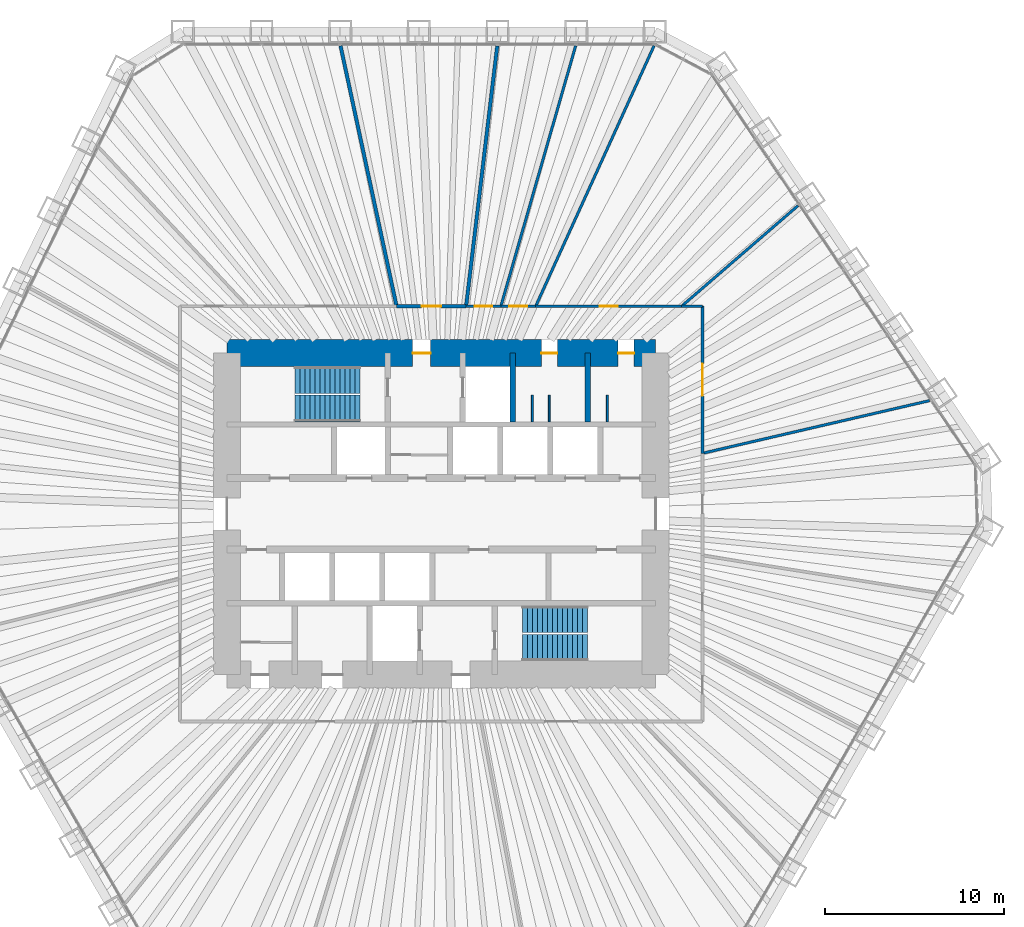
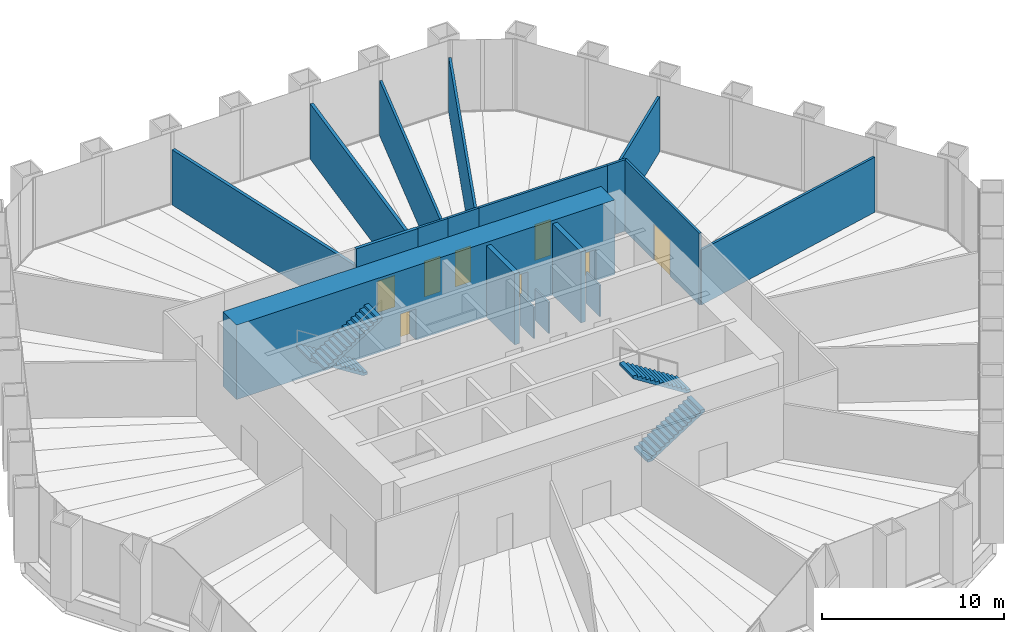
# One storey, part 12 of 13: 18 walls, 8 doors, 4 stair flights, 8 openings, 2 elements without a shape of their own.
"""IFC4 building model written with IfcOpenShell, lengths in metres."""

from ifc_helpers import new_model, si_unit, direction, frame, frame_2d, origin, place, context, subcontext, project, spatial, polyline, rectangle, outline, extrude, material, layer, layer_set, type_object, element, fill, aggregate, save


model = new_model("IFC4")

# Units and contexts
model_context = context("Model", 3, precision=1e-05, world=origin(), true_north=direction((0.0, 1.0)))
body_context = subcontext(model_context, "Body", "Model", "MODEL_VIEW")
ifc_project = project(units=[si_unit("LENGTHUNIT", "METRE"), si_unit("AREAUNIT", "SQUARE_METRE"), si_unit("VOLUMEUNIT", "CUBIC_METRE"), si_unit("PLANEANGLEUNIT", "RADIAN"), si_unit("MASSUNIT", "GRAM", prefix="KILO")], contexts=[model_context])

# Site, building, storey
site_placement = place(None, origin())
site = spatial("IfcSite", under=ifc_project, at=site_placement, CompositionType="ELEMENT")
building_placement = place(site_placement, origin())
building = spatial("IfcBuilding", under=site, at=building_placement, Name="Qingtian Harvest Tower", CompositionType="ELEMENT")
storey_placement = place(building_placement, frame((0.0, 0.0, 77.0)))
storey = spatial("IfcBuildingStorey", under=building, at=storey_placement, Name="L15", CompositionType="ELEMENT", Elevation=77.0)

# Walls
ifc_material_1 = material(Name="Precast concrete shaft panel", Category="concrete")
ifc_layer_1 = layer(ifc_material_1, 0.300048828125)
ifc_layer_set_1 = layer_set([ifc_layer_1], Name="Core shaft partition SW1 300")
wall_type_1 = type_object("IfcWallType", Name="Core shaft partition SW1 300", PredefinedType="PARTITIONING", material=ifc_layer_set_1)
for number, where, z_axis, x_axis, name in (
    (1, (4.0, 5.14990234375, 0.0), (0.0, 0.0, 1.0), (0.0, 1.0, 0.0), "Core shaft partition XN3 L15"),
    (2, (8.199951171875, 5.14990234375, 0.0), (0.0, 0.0, 1.0), (0.0, 1.0, 0.0), "Core shaft partition XN4 L15"),
):
    element("IfcWall", number, at=place(storey_placement, frame(where, z_axis=z_axis, x_axis=x_axis)), inside=storey, type_object=wall_type_1, Name=name, PredefinedType="PARTITIONING", context=body_context, shape_type="SweptSolid", body=[
        extrude(rectangle(XDim=3.85009765625, YDim=0.300048828125, at=frame_2d((1.925048828125, 0.0))), origin(), (0.0, 0.0, 1.0), 4.780029296875),
    ])

# Wall, openings, doors
ifc_material_2 = material(Name="Concrete fc' 70 MPa", Category="concrete")
ifc_layer_2 = layer(ifc_material_2, 1.5)
ifc_layer_set_2 = layer_set([ifc_layer_2], Name="Core wall RC1 1500")
wall_type_2 = type_object("IfcWallType", Name="Core wall RC1 1500", PredefinedType="SHEAR", material=ifc_layer_set_2)
wall_1_placement = place(storey_placement, frame((-12.0, 9.0, 0.0), z_axis=(0.0, 0.0, 1.0), x_axis=(1.0, 0.0, 0.0)))
wall_1 = element("IfcWall", 3, at=wall_1_placement, inside=storey, type_object=wall_type_2, Name="Core wall CN L15", PredefinedType="SHEAR", context=body_context, shape_type="SweptSolid", body=[
    extrude(rectangle(XDim=24.0, YDim=1.5, at=frame_2d((12.0, 0.0))), origin(), (0.0, 0.0, 1.0), 5.0),
])
opening_1_placement = place(wall_1_placement, frame((10.39990234375, 0.0, 0.0)))
opening_1 = element("IfcOpeningElement", 4, at=opening_1_placement, cuts=wall_1, Name="Opening FD1", PredefinedType="OPENING", context=body_context, shape_type="SweptSolid", body=[
    extrude(rectangle(XDim=1.0, YDim=2.10009765625, at=frame_2d((0.5, 1.050048828125))), frame((0.0, 0.760009765625, 0.0), z_axis=(0.0, -1.0, 0.0), x_axis=(1.0, 0.0, 0.0)), (0.0, 0.0, 1.0), 1.52001953125),
])
opening_2_placement = place(wall_1_placement, frame((17.60009765625, 0.0, 0.0)))
opening_2 = element("IfcOpeningElement", 5, at=opening_2_placement, cuts=wall_1, Name="Opening D1", PredefinedType="OPENING", context=body_context, shape_type="SweptSolid", body=[
    extrude(rectangle(XDim=0.89990234375, YDim=2.10009765625, at=frame_2d((0.449951171875, 1.050048828125))), frame((0.0, 0.760009765625, 0.0), z_axis=(0.0, -1.0, 0.0), x_axis=(1.0, 0.0, 0.0)), (0.0, 0.0, 1.0), 1.52001953125),
])
opening_3_placement = place(wall_1_placement, frame((21.89990234375, 0.0, 0.0)))
opening_3 = element("IfcOpeningElement", 6, at=opening_3_placement, cuts=wall_1, Name="Opening D1", PredefinedType="OPENING", context=body_context, shape_type="SweptSolid", body=[
    extrude(rectangle(XDim=0.89990234375, YDim=2.10009765625, at=frame_2d((0.449951171875, 1.050048828125))), frame((0.0, 0.760009765625, 0.0), z_axis=(0.0, -1.0, 0.0), x_axis=(1.0, 0.0, 0.0)), (0.0, 0.0, 1.0), 1.52001953125),
])
ifc_material_3 = material(Name="Steel-faced door leaf", Category="steel")
door_type_1 = type_object("IfcDoorType", Name="Fire door FD1 single 1 HR", OperationType="SINGLE_SWING_LEFT", PredefinedType="DOOR", material=ifc_material_3)
door_1_placement = place(opening_1_placement, origin())
door_1 = element("IfcDoor", 7, at=door_1_placement, inside=storey, type_object=door_type_1, Name="V1 door L15", OperationType="SINGLE_SWING_LEFT", OverallHeight=2.10009765625, OverallWidth=1.0, PredefinedType="DOOR", context=body_context, shape_type="SweptSolid", body=[
    extrude(rectangle(XDim=1.0, YDim=2.10009765625, at=frame_2d((0.5, 1.050048828125))), frame((0.0, 0.02490234375, 0.0), z_axis=(0.0, -1.0, 0.0), x_axis=(1.0, 0.0, 0.0)), (0.0, 0.0, 1.0), 0.050048828125),
])
fill(opening_1, door_1)
ifc_material_4 = material(Name="Laminated timber door leaf", Category="wood")
door_type_2 = type_object("IfcDoorType", Name="Toilet door D1 single", OperationType="SINGLE_SWING_LEFT", PredefinedType="DOOR", material=ifc_material_4)
door_2_placement = place(opening_2_placement, origin())
door_2 = element("IfcDoor", 8, at=door_2_placement, inside=storey, type_object=door_type_2, Name="WCM door L15", OperationType="SINGLE_SWING_LEFT", OverallHeight=2.10009765625, OverallWidth=0.89990234375, PredefinedType="DOOR", context=body_context, shape_type="SweptSolid", body=[
    extrude(rectangle(XDim=0.89990234375, YDim=2.10009765625, at=frame_2d((0.449951171875, 1.050048828125))), frame((0.0, 0.02490234375, 0.0), z_axis=(0.0, -1.0, 0.0), x_axis=(1.0, 0.0, 0.0)), (0.0, 0.0, 1.0), 0.050048828125),
])
fill(opening_2, door_2)
door_3_placement = place(opening_3_placement, origin())
door_3 = element("IfcDoor", 9, at=door_3_placement, inside=storey, type_object=door_type_2, Name="WCF door L15", OperationType="SINGLE_SWING_LEFT", OverallHeight=2.10009765625, OverallWidth=0.89990234375, PredefinedType="DOOR", context=body_context, shape_type="SweptSolid", body=[
    extrude(rectangle(XDim=0.89990234375, YDim=2.10009765625, at=frame_2d((0.449951171875, 1.050048828125))), frame((0.0, 0.02490234375, 0.0), z_axis=(0.0, -1.0, 0.0), x_axis=(1.0, 0.0, 0.0)), (0.0, 0.0, 1.0), 0.050048828125),
])
fill(opening_3, door_3)

# Wall
ifc_material_5 = material(Name="Blockwork fire wall", Category="masonry")
ifc_layer_3 = layer(ifc_material_5, 0.199951171875)
ifc_layer_set_3 = layer_set([ifc_layer_3], Name="Fire partition FW1 200")
wall_type_3 = type_object("IfcWallType", Name="Fire partition FW1 200", PredefinedType="PARTITIONING", material=ifc_layer_set_3)
wall_2_placement = place(storey_placement, frame((-5.64111328125, 26.2021484375, 0.0), z_axis=(0.0, 0.0, 1.0), x_axis=(0.210474950898, -0.977599250738, 0.0)))
element("IfcWall", 10, at=wall_2_placement, inside=storey, type_object=wall_type_3, Name="Cold room wall L15", PredefinedType="PARTITIONING", context=body_context, shape_type="SweptSolid", body=[
    extrude(rectangle(XDim=14.9111328125, YDim=0.199951171875, at=frame_2d((7.45556640625, 0.0))), origin(), (0.0, 0.0, 1.0), 3.699951171875),
])

# Wall, opening, door
wall_3_placement = place(storey_placement, frame((-2.502685546875, 11.625, 0.0), z_axis=(0.0, 0.0, 1.0), x_axis=(1.0, 0.0, 0.0)))
wall_3 = element("IfcWall", 11, at=wall_3_placement, inside=storey, type_object=wall_type_3, Name="Cold room wall L15", PredefinedType="PARTITIONING", context=body_context, shape_type="SweptSolid", body=[
    extrude(rectangle(XDim=3.893798828125, YDim=0.199951171875, at=frame_2d((1.94677734375, 0.0))), origin(), (0.0, 0.0, 1.0), 4.800048828125),
])
opening_4_placement = place(wall_3_placement, frame((1.39697265625, 0.0, 0.0)))
opening_4 = element("IfcOpeningElement", 12, at=opening_4_placement, cuts=wall_3, Name="Opening FD4", PredefinedType="OPENING", context=body_context, shape_type="SweptSolid", body=[
    extrude(rectangle(XDim=1.10009765625, YDim=2.10009765625, at=frame_2d((0.550048828125, 1.050048828125))), frame((0.0, 0.10986328125, 0.0), z_axis=(0.0, -1.0, 0.0), x_axis=(1.0, 0.0, 0.0)), (0.0, 0.0, 1.0), 0.219970703125),
])
ifc_material_6 = material(Name="Steel-faced door leaf", Category="steel")
door_type_3 = type_object("IfcDoorType", Name="Fire door FD4 single 2 HR", OperationType="SINGLE_SWING_LEFT", PredefinedType="DOOR", material=ifc_material_6)
door_4_placement = place(opening_4_placement, origin())
door_4 = element("IfcDoor", 13, at=door_4_placement, inside=storey, type_object=door_type_3, Name="Cold room door L15", OperationType="SINGLE_SWING_LEFT", OverallHeight=2.10009765625, OverallWidth=1.10009765625, PredefinedType="DOOR", context=body_context, shape_type="SweptSolid", body=[
    extrude(rectangle(XDim=1.10009765625, YDim=2.10009765625, at=frame_2d((0.550048828125, 1.050048828125))), frame((0.0, 0.02490234375, 0.0), z_axis=(0.0, -1.0, 0.0), x_axis=(1.0, 0.0, 0.0)), (0.0, 0.0, 1.0), 0.050048828125),
])
fill(opening_4, door_4)

# Wall
wall_4_placement = place(storey_placement, frame((3.135009765625, 26.20068359375, 0.0), z_axis=(0.0, 0.0, 1.0), x_axis=(-0.118796980211, -0.992918565388, 0.0)))
element("IfcWall", 14, at=wall_4_placement, inside=storey, type_object=wall_type_3, Name="Nutrient dosing room wall L15", PredefinedType="PARTITIONING", context=body_context, shape_type="SweptSolid", body=[
    extrude(rectangle(XDim=14.6796875, YDim=0.199951171875, at=frame_2d((7.33984375, 0.0))), origin(), (0.0, 0.0, 1.0), 3.699951171875),
])

# Wall, opening, door
ifc_material_7 = material(Name="Gypsum board on steel studs", Category="steel")
ifc_layer_4 = layer(ifc_material_7, 0.14990234375)
ifc_layer_set_4 = layer_set([ifc_layer_4], Name="Partition PT1 150")
wall_type_4 = type_object("IfcWallType", Name="Partition PT1 150", PredefinedType="PARTITIONING", material=ifc_layer_set_4)
wall_5_placement = place(storey_placement, frame((1.39111328125, 11.625, 0.0), z_axis=(0.0, 0.0, 1.0), x_axis=(1.0, 0.0, 0.0)))
wall_5 = element("IfcWall", 15, at=wall_5_placement, inside=storey, type_object=wall_type_4, Name="Nutrient dosing room wall L15", PredefinedType="PARTITIONING", context=body_context, shape_type="SweptSolid", body=[
    extrude(rectangle(XDim=1.94677734375, YDim=0.14990234375, at=frame_2d((0.973388671875, 0.0))), origin(), (0.0, 0.0, 1.0), 4.800048828125),
])
opening_5_placement = place(wall_5_placement, frame((0.473388671875, 0.0, 0.0)))
opening_5 = element("IfcOpeningElement", 16, at=opening_5_placement, cuts=wall_5, Name="Opening D2", PredefinedType="OPENING", context=body_context, shape_type="SweptSolid", body=[
    extrude(rectangle(XDim=1.0, YDim=2.39990234375, at=frame_2d((0.5, 1.199951171875))), frame((0.0, 0.0849609375, 0.0), z_axis=(0.0, -1.0, 0.0), x_axis=(1.0, 0.0, 0.0)), (0.0, 0.0, 1.0), 0.169921875),
])
ifc_material_8 = material(Name="Laminated timber door leaf", Category="wood")
door_type_4 = type_object("IfcDoorType", Name="Room door D2 single", OperationType="SINGLE_SWING_LEFT", PredefinedType="DOOR", material=ifc_material_8)
door_5_placement = place(opening_5_placement, origin())
door_5 = element("IfcDoor", 17, at=door_5_placement, inside=storey, type_object=door_type_4, Name="Nutrient dosing room door L15", OperationType="SINGLE_SWING_LEFT", OverallHeight=2.39990234375, OverallWidth=1.0, PredefinedType="DOOR", context=body_context, shape_type="SweptSolid", body=[
    extrude(rectangle(XDim=1.0, YDim=2.39990234375, at=frame_2d((0.5, 1.199951171875))), frame((0.0, 0.02490234375, 0.0), z_axis=(0.0, -1.0, 0.0), x_axis=(1.0, 0.0, 0.0)), (0.0, 0.0, 1.0), 0.050048828125),
])
fill(opening_5, door_5)

# Wall
wall_6_placement = place(storey_placement, frame((7.52392578125, 26.203857421875, 0.0), z_axis=(0.0, 0.0, 1.0), x_axis=(-0.275979405656, -0.961163548858, 0.0)))
element("IfcWall", 18, at=wall_6_placement, inside=storey, type_object=wall_type_4, Name="Gowning room wall L15", PredefinedType="PARTITIONING", context=body_context, shape_type="SweptSolid", body=[
    extrude(rectangle(XDim=15.16796875, YDim=0.14990234375, at=frame_2d((7.583984375, 0.0))), origin(), (0.0, 0.0, 1.0), 3.699951171875),
])

# Wall, opening, door
wall_7_placement = place(storey_placement, frame((3.337890625, 11.625, 0.0), z_axis=(0.0, 0.0, 1.0), x_axis=(1.0, 0.0, 0.0)))
wall_7 = element("IfcWall", 19, at=wall_7_placement, inside=storey, type_object=wall_type_4, Name="Gowning room wall L15", PredefinedType="PARTITIONING", context=body_context, shape_type="SweptSolid", body=[
    extrude(rectangle(XDim=1.947021484375, YDim=0.14990234375, at=frame_2d((0.9736328125, 0.0))), origin(), (0.0, 0.0, 1.0), 4.800048828125),
])
opening_6_placement = place(wall_7_placement, frame((0.473388671875, 0.0, 0.0)))
opening_6 = element("IfcOpeningElement", 20, at=opening_6_placement, cuts=wall_7, Name="Opening D2", PredefinedType="OPENING", context=body_context, shape_type="SweptSolid", body=[
    extrude(rectangle(XDim=1.0, YDim=2.39990234375, at=frame_2d((0.5, 1.199951171875))), frame((0.0, 0.0849609375, 0.0), z_axis=(0.0, -1.0, 0.0), x_axis=(1.0, 0.0, 0.0)), (0.0, 0.0, 1.0), 0.169921875),
])
door_6_placement = place(opening_6_placement, origin())
door_6 = element("IfcDoor", 21, at=door_6_placement, inside=storey, type_object=door_type_4, Name="Gowning room door L15", OperationType="SINGLE_SWING_LEFT", OverallHeight=2.39990234375, OverallWidth=1.0, PredefinedType="DOOR", context=body_context, shape_type="SweptSolid", body=[
    extrude(rectangle(XDim=1.0, YDim=2.39990234375, at=frame_2d((0.5, 1.199951171875))), frame((0.0, 0.02490234375, 0.0), z_axis=(0.0, -1.0, 0.0), x_axis=(1.0, 0.0, 0.0)), (0.0, 0.0, 1.0), 0.050048828125),
])
fill(opening_6, door_6)

# Wall
wall_8_placement = place(storey_placement, frame((11.914794921875, 26.208984375, 0.0), z_axis=(0.0, 0.0, 1.0), x_axis=(-0.41384427845, -0.910347688081, 0.0)))
element("IfcWall", 22, at=wall_8_placement, inside=storey, type_object=wall_type_4, Name="Harvest wash room wall L15", PredefinedType="PARTITIONING", context=body_context, shape_type="SweptSolid", body=[
    extrude(rectangle(XDim=16.020263671875, YDim=0.14990234375, at=frame_2d((8.01025390625, 0.0))), origin(), (0.0, 0.0, 1.0), 3.699951171875),
])

# Wall, opening, door
wall_9_placement = place(storey_placement, frame((5.284912109375, 11.625, 0.0), z_axis=(0.0, 0.0, 1.0), x_axis=(1.0, 0.0, 0.0)))
wall_9 = element("IfcWall", 23, at=wall_9_placement, inside=storey, type_object=wall_type_4, Name="Harvest wash room wall L15", PredefinedType="PARTITIONING", context=body_context, shape_type="SweptSolid", body=[
    extrude(rectangle(XDim=8.171630859375, YDim=0.14990234375, at=frame_2d((4.0859375, 0.0))), origin(), (0.0, 0.0, 1.0), 4.800048828125),
])
opening_7_placement = place(wall_9_placement, frame((3.5859375, 0.0, 0.0)))
opening_7 = element("IfcOpeningElement", 24, at=opening_7_placement, cuts=wall_9, Name="Opening D2", PredefinedType="OPENING", context=body_context, shape_type="SweptSolid", body=[
    extrude(rectangle(XDim=1.0, YDim=2.39990234375, at=frame_2d((0.5, 1.199951171875))), frame((0.0, 0.0849609375, 0.0), z_axis=(0.0, -1.0, 0.0), x_axis=(1.0, 0.0, 0.0)), (0.0, 0.0, 1.0), 0.169921875),
])
door_7_placement = place(opening_7_placement, origin())
door_7 = element("IfcDoor", 25, at=door_7_placement, inside=storey, type_object=door_type_4, Name="Harvest wash room door L15", OperationType="SINGLE_SWING_LEFT", OverallHeight=2.39990234375, OverallWidth=1.0, PredefinedType="DOOR", context=body_context, shape_type="SweptSolid", body=[
    extrude(rectangle(XDim=1.0, YDim=2.39990234375, at=frame_2d((0.5, 1.199951171875))), frame((0.0, 0.02490234375, 0.0), z_axis=(0.0, -1.0, 0.0), x_axis=(1.0, 0.0, 0.0)), (0.0, 0.0, 1.0), 0.050048828125),
])
fill(opening_7, door_7)

# Walls
wall_10_placement = place(storey_placement, frame((19.96826171875, 17.250244140625, 0.0), z_axis=(0.0, 0.0, 1.0), x_axis=(-0.75673751601, -0.65371884772, 0.0)))
element("IfcWall", 26, at=wall_10_placement, inside=storey, type_object=wall_type_4, Name="Packing room wall L15", PredefinedType="PARTITIONING", context=body_context, shape_type="SweptSolid", body=[
    extrude(rectangle(XDim=8.60498046875, YDim=0.14990234375, at=frame_2d((4.302490234375, 0.0))), origin(), (0.0, 0.0, 1.0), 3.699951171875),
])
wall_11_placement = place(storey_placement, frame((13.45654296875, 11.625, 0.0), z_axis=(0.0, 0.0, 1.0), x_axis=(1.0, 0.0, 0.0)))
element("IfcWall", 27, at=wall_11_placement, inside=storey, type_object=wall_type_4, Name="Packing room wall L15", PredefinedType="PARTITIONING", context=body_context, shape_type="SweptSolid", body=[
    extrude(rectangle(XDim=1.16845703125, YDim=0.14990234375, at=frame_2d((0.584228515625, 0.0))), origin(), (0.0, 0.0, 1.0), 4.800048828125),
])

# Wall, opening, door
wall_12_placement = place(storey_placement, frame((14.625, 11.625, 0.0), z_axis=(0.0, 0.0, 1.0), x_axis=(0.0, -1.0, 0.0)))
wall_12 = element("IfcWall", 28, at=wall_12_placement, inside=storey, type_object=wall_type_4, Name="Packing room wall L15", PredefinedType="PARTITIONING", context=body_context, shape_type="SweptSolid", body=[
    extrude(rectangle(XDim=8.23388671875, YDim=0.14990234375, at=frame_2d((4.116943359375, 0.0))), origin(), (0.0, 0.0, 1.0), 4.800048828125),
])
opening_8_placement = place(wall_12_placement, frame((3.217041015625, 0.0, 0.0)))
opening_8 = element("IfcOpeningElement", 29, at=opening_8_placement, cuts=wall_12, Name="Opening D3", PredefinedType="OPENING", context=body_context, shape_type="SweptSolid", body=[
    extrude(rectangle(XDim=1.800048828125, YDim=2.39990234375, at=frame_2d((0.89990234375, 1.199951171875))), frame((0.0, 0.0849609375, 0.0), z_axis=(0.0, -1.0, 0.0), x_axis=(1.0, 0.0, 0.0)), (0.0, 0.0, 1.0), 0.169921875),
])
ifc_material_9 = material(Name="Laminated timber door leaf", Category="wood")
door_type_5 = type_object("IfcDoorType", Name="Room door D3 double", OperationType="DOUBLE_DOOR_DOUBLE_SWING", PredefinedType="DOOR", material=ifc_material_9)
door_8_placement = place(opening_8_placement, origin())
door_8 = element("IfcDoor", 30, at=door_8_placement, inside=storey, type_object=door_type_5, Name="Packing room door L15", OperationType="DOUBLE_DOOR_DOUBLE_SWING", OverallHeight=2.39990234375, OverallWidth=1.800048828125, PredefinedType="DOOR", context=body_context, shape_type="SweptSolid", body=[
    extrude(rectangle(XDim=1.800048828125, YDim=2.39990234375, at=frame_2d((0.89990234375, 1.199951171875))), frame((0.0, 0.02490234375, 0.0), z_axis=(0.0, -1.0, 0.0), x_axis=(1.0, 0.0, 0.0)), (0.0, 0.0, 1.0), 0.050048828125),
])
fill(opening_8, door_8)

# Walls
wall_13_placement = place(storey_placement, frame((27.335693359375, 6.33837890625, 0.0), z_axis=(0.0, 0.0, 1.0), x_axis=(-0.974155090553, -0.225880188486, 0.0)))
element("IfcWall", 31, at=wall_13_placement, inside=storey, type_object=wall_type_4, Name="Seedling nursery wall L15", PredefinedType="PARTITIONING", context=body_context, shape_type="SweptSolid", body=[
    extrude(rectangle(XDim=13.0478515625, YDim=0.14990234375, at=frame_2d((6.52392578125, 0.0))), origin(), (0.0, 0.0, 1.0), 3.699951171875),
])
ifc_material_10 = material(Name="Compact laminate cubicle partition", Category="plastic")
ifc_layer_5 = layer(ifc_material_10, 0.10009765625)
ifc_layer_set_5 = layer_set([ifc_layer_5], Name="WC cubicle partition WP1 100")
wall_type_5 = type_object("IfcWallType", Name="WC cubicle partition WP1 100", PredefinedType="PARTITIONING", material=ifc_layer_set_5)
for number, where, z_axis, x_axis, name in (
    (32, (5.10009765625, 5.14990234375, 0.0), (0.0, 0.0, 1.0), (0.0, 1.0, 0.0), "WC cubicle partition WCM L15"),
    (33, (6.050048828125, 5.14990234375, 0.0), (0.0, 0.0, 1.0), (0.0, 1.0, 0.0), "WC cubicle partition WCM L15"),
    (34, (9.300048828125, 5.14990234375, 0.0), (0.0, 0.0, 1.0), (0.0, 1.0, 0.0), "WC cubicle partition WCF L15"),
):
    element("IfcWall", number, at=place(storey_placement, frame(where, z_axis=z_axis, x_axis=x_axis)), inside=storey, type_object=wall_type_5, Name=name, PredefinedType="PARTITIONING", context=body_context, shape_type="SweptSolid", body=[
        extrude(rectangle(XDim=1.5, YDim=0.10009765625, at=frame_2d((0.75, 0.0))), origin(), (0.0, 0.0, 1.0), 2.10009765625),
    ])

# Stair, stair flights
ifc_material_11 = material(Name="Concrete fc' 35 MPa", Category="concrete")
stair_type = type_object("IfcStairType", Name="Special stair ST2 5000", PredefinedType="HALF_TURN_STAIR", material=ifc_material_11)
stair_1_placement = place(storey_placement, origin())
stair_1 = element("IfcStair", 35, at=stair_1_placement, inside=storey, type_object=stair_type, Name="Special stair S1 L15", PredefinedType="HALF_TURN_STAIR")
ifc_material_12 = material(Name="Concrete fc' 35 MPa", Category="concrete")
stair_flight_type = type_object("IfcStairFlightType", Name="Stair flight SF2 5000", PredefinedType="STRAIGHT", material=ifc_material_12)
stair_flight_1_placement = place(storey_placement, frame((-4.550048828125, 7.5, 0.0), z_axis=(0.0, 0.0, 1.0), x_axis=(-1.0, 0.0, 0.0)))
stair_flight_1 = element("IfcStairFlight", 36, at=stair_flight_1_placement, type_object=stair_flight_type, Name="S1 flight 1", NumberOfRisers=14, NumberOfTreads=13, PredefinedType="STRAIGHT", RiserHeight=0.178571429, TreadLength=0.28, context=body_context, shape_type="SweptSolid", body=[
    extrude(outline(polyline([(0.0, 0.0), (0.0, 0.178466796875), (0.280029296875, 0.178466796875), (0.280029296875, 0.357177734375), (0.56005859375, 0.357177734375), (0.56005859375, 0.53564453125), (0.840087890625, 0.53564453125), (0.840087890625, 0.71435546875), (1.1201171875, 0.71435546875), (1.1201171875, 0.892822265625), (1.39990234375, 0.892822265625), (1.39990234375, 1.071533203125), (1.679931640625, 1.071533203125), (1.679931640625, 1.25), (1.9599609375, 1.25), (1.9599609375, 1.428466796875), (2.239990234375, 1.428466796875), (2.239990234375, 1.607177734375), (2.52001953125, 1.607177734375), (2.52001953125, 1.78564453125), (2.800048828125, 1.78564453125), (2.800048828125, 1.96435546875), (3.080078125, 1.96435546875), (3.080078125, 2.142822265625), (3.360107421875, 2.142822265625), (3.360107421875, 2.321533203125), (3.639892578125, 2.321533203125), (3.639892578125, 2.5), (3.639892578125, 2.1435546875), (0.27880859375, 0.0), (0.0, 0.0)])), frame((0.0, 0.75, 0.0), z_axis=(0.0, -1.0, 0.0), x_axis=(1.0, 0.0, 0.0)), (0.0, 0.0, 1.0), 1.5),
])
stair_flight_2_placement = place(storey_placement, frame((-8.18994140625, 5.89990234375, 2.5), z_axis=(0.0, 0.0, 1.0), x_axis=(1.0, 0.0, 0.0)))
stair_flight_2 = element("IfcStairFlight", 37, at=stair_flight_2_placement, type_object=stair_flight_type, Name="S1 flight 2", NumberOfRisers=14, NumberOfTreads=13, PredefinedType="STRAIGHT", RiserHeight=0.178571429, TreadLength=0.28, context=body_context, shape_type="SweptSolid", body=[
    extrude(outline(polyline([(0.0, 0.0), (0.0, 0.178466796875), (0.280029296875, 0.178466796875), (0.280029296875, 0.357177734375), (0.56005859375, 0.357177734375), (0.56005859375, 0.53564453125), (0.840087890625, 0.53564453125), (0.840087890625, 0.71435546875), (1.1201171875, 0.71435546875), (1.1201171875, 0.892822265625), (1.39990234375, 0.892822265625), (1.39990234375, 1.071533203125), (1.679931640625, 1.071533203125), (1.679931640625, 1.25), (1.9599609375, 1.25), (1.9599609375, 1.428466796875), (2.239990234375, 1.428466796875), (2.239990234375, 1.607177734375), (2.52001953125, 1.607177734375), (2.52001953125, 1.78564453125), (2.800048828125, 1.78564453125), (2.800048828125, 1.96435546875), (3.080078125, 1.96435546875), (3.080078125, 2.142822265625), (3.360107421875, 2.142822265625), (3.360107421875, 2.321533203125), (3.639892578125, 2.321533203125), (3.639892578125, 2.5), (3.639892578125, 2.1435546875), (0.27880859375, 0.0), (0.0, 0.0)])), frame((0.0, 0.75, 0.0), z_axis=(0.0, -1.0, 0.0), x_axis=(1.0, 0.0, 0.0)), (0.0, 0.0, 1.0), 1.5),
])
aggregate(stair_1, [stair_flight_1, stair_flight_2])

stair_2_placement = place(storey_placement, origin())
stair_2 = element("IfcStair", 38, at=stair_2_placement, inside=storey, type_object=stair_type, Name="Special stair S2 L15", PredefinedType="HALF_TURN_STAIR")
stair_flight_3_placement = place(storey_placement, frame((4.550048828125, -7.5, 0.0), z_axis=(0.0, 0.0, 1.0), x_axis=(1.0, 0.0, 0.0)))
stair_flight_3 = element("IfcStairFlight", 39, at=stair_flight_3_placement, type_object=stair_flight_type, Name="S2 flight 1", NumberOfRisers=14, NumberOfTreads=13, PredefinedType="STRAIGHT", RiserHeight=0.178571429, TreadLength=0.28, context=body_context, shape_type="SweptSolid", body=[
    extrude(outline(polyline([(0.0, 0.0), (0.0, 0.178466796875), (0.280029296875, 0.178466796875), (0.280029296875, 0.357177734375), (0.56005859375, 0.357177734375), (0.56005859375, 0.53564453125), (0.840087890625, 0.53564453125), (0.840087890625, 0.71435546875), (1.1201171875, 0.71435546875), (1.1201171875, 0.892822265625), (1.39990234375, 0.892822265625), (1.39990234375, 1.071533203125), (1.679931640625, 1.071533203125), (1.679931640625, 1.25), (1.9599609375, 1.25), (1.9599609375, 1.428466796875), (2.239990234375, 1.428466796875), (2.239990234375, 1.607177734375), (2.52001953125, 1.607177734375), (2.52001953125, 1.78564453125), (2.800048828125, 1.78564453125), (2.800048828125, 1.96435546875), (3.080078125, 1.96435546875), (3.080078125, 2.142822265625), (3.360107421875, 2.142822265625), (3.360107421875, 2.321533203125), (3.639892578125, 2.321533203125), (3.639892578125, 2.5), (3.639892578125, 2.1435546875), (0.27880859375, 0.0), (0.0, 0.0)])), frame((0.0, 0.75, 0.0), z_axis=(0.0, -1.0, 0.0), x_axis=(1.0, 0.0, 0.0)), (0.0, 0.0, 1.0), 1.5),
])
stair_flight_4_placement = place(storey_placement, frame((8.18994140625, -5.89990234375, 2.5), z_axis=(0.0, 0.0, 1.0), x_axis=(-1.0, 0.0, 0.0)))
stair_flight_4 = element("IfcStairFlight", 40, at=stair_flight_4_placement, type_object=stair_flight_type, Name="S2 flight 2", NumberOfRisers=14, NumberOfTreads=13, PredefinedType="STRAIGHT", RiserHeight=0.178571429, TreadLength=0.28, context=body_context, shape_type="SweptSolid", body=[
    extrude(outline(polyline([(0.0, 0.0), (0.0, 0.178466796875), (0.280029296875, 0.178466796875), (0.280029296875, 0.357177734375), (0.56005859375, 0.357177734375), (0.56005859375, 0.53564453125), (0.840087890625, 0.53564453125), (0.840087890625, 0.71435546875), (1.1201171875, 0.71435546875), (1.1201171875, 0.892822265625), (1.39990234375, 0.892822265625), (1.39990234375, 1.071533203125), (1.679931640625, 1.071533203125), (1.679931640625, 1.25), (1.9599609375, 1.25), (1.9599609375, 1.428466796875), (2.239990234375, 1.428466796875), (2.239990234375, 1.607177734375), (2.52001953125, 1.607177734375), (2.52001953125, 1.78564453125), (2.800048828125, 1.78564453125), (2.800048828125, 1.96435546875), (3.080078125, 1.96435546875), (3.080078125, 2.142822265625), (3.360107421875, 2.142822265625), (3.360107421875, 2.321533203125), (3.639892578125, 2.321533203125), (3.639892578125, 2.5), (3.639892578125, 2.1435546875), (0.27880859375, 0.0), (0.0, 0.0)])), frame((0.0, 0.75, 0.0), z_axis=(0.0, -1.0, 0.0), x_axis=(1.0, 0.0, 0.0)), (0.0, 0.0, 1.0), 1.5),
])
aggregate(stair_2, [stair_flight_3, stair_flight_4])

save(model, "model.ifc")
